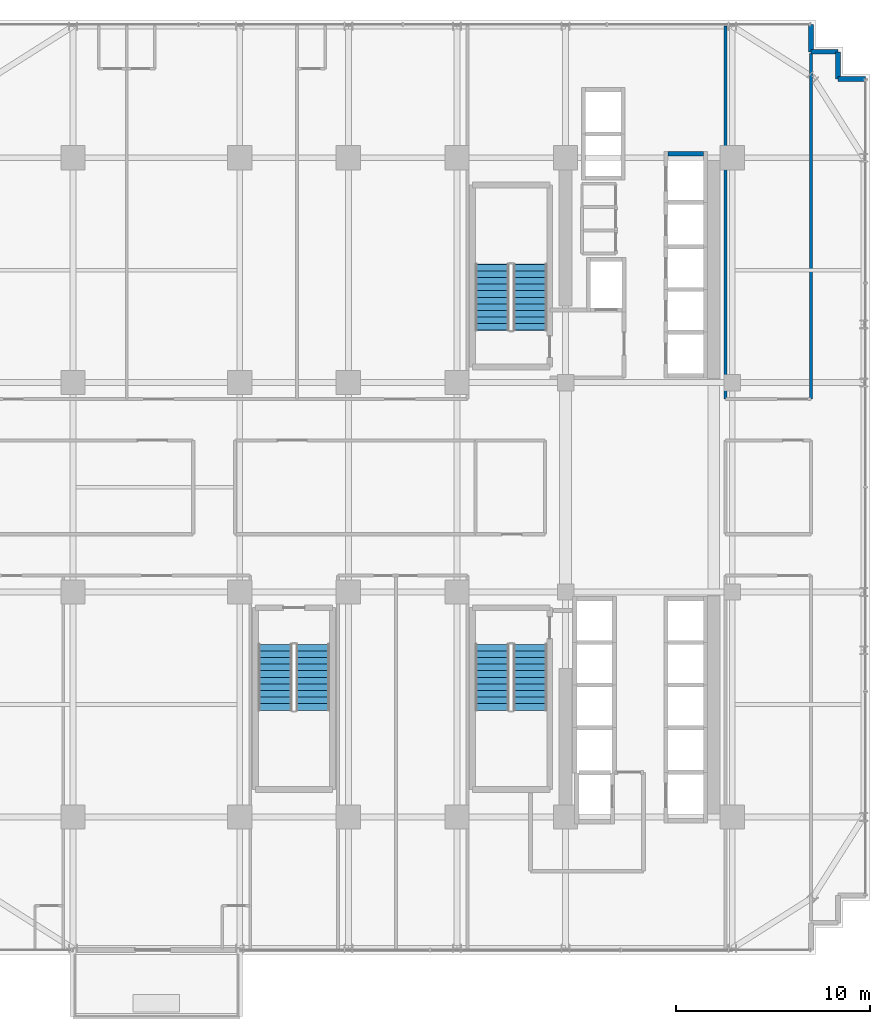
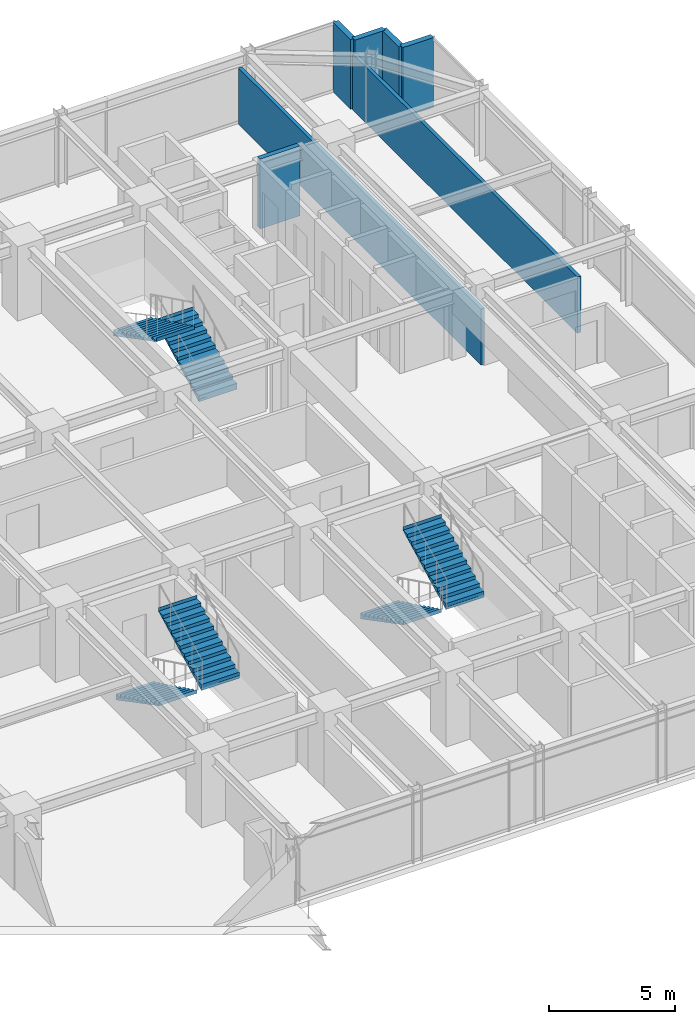
# One storey, part 29 of 32: 7 walls, 6 stair flights, 3 elements without a shape of their own.
"""IFC4 building model written with IfcOpenShell, lengths in metres."""

from ifc_helpers import new_model, si_unit, direction, frame, frame_2d, origin, place, context, subcontext, project, spatial, polyline, rectangle, outline, extrude, source, transform, mapped, material, layer, layer_set, type_object, element, aggregate, save


model = new_model("IFC4")

# Units and contexts
model_context = context("Model", 3, precision=1e-05, world=origin(), true_north=direction((0.0, 1.0)))
body_context = subcontext(model_context, "Body", "Model", "MODEL_VIEW")
ifc_project = project(units=[si_unit("LENGTHUNIT", "METRE"), si_unit("AREAUNIT", "SQUARE_METRE"), si_unit("VOLUMEUNIT", "CUBIC_METRE"), si_unit("PLANEANGLEUNIT", "RADIAN"), si_unit("MASSUNIT", "GRAM", prefix="KILO")], contexts=[model_context])

# Site, building, storey
site_placement = place(None, origin())
site = spatial("IfcSite", under=ifc_project, at=site_placement, CompositionType="ELEMENT")
building_placement = place(site_placement, origin())
building = spatial("IfcBuilding", under=site, at=building_placement, Name="Nahalor Promenade Grand Hotel", CompositionType="ELEMENT")
storey_placement = place(building_placement, frame((0.0, 0.0, 110.199951171875)))
storey = spatial("IfcBuildingStorey", under=building, at=storey_placement, Name="L27", CompositionType="ELEMENT", Elevation=110.199951171875)

# Walls
ifc_material_1 = material(Name="Concrete B-50 (C40/50)", Category="concrete")
ifc_layer_1 = layer(ifc_material_1, 0.219970703125)
ifc_layer_set_1 = layer_set([ifc_layer_1], Name="Concrete B-50 (C40/50)")
wall_type_1 = type_object("IfcWallType", Name="Wall-LiftShaft-220", PredefinedType="SHEAR", material=ifc_layer_set_1)
shared_shape_1 = source(origin(), body_context, "Body", "SweptSolid", [
    extrude(rectangle(XDim=1.820068359375, YDim=0.219970703125, at=frame_2d((0.91015625, 0.0))), origin(), (0.0, 0.0, 1.0), 3.380126953125),
])
wall_1_placement = place(storey_placement, frame((13.68994140625, 17.199951171875, 0.0), z_axis=(0.0, 0.0, 1.0), x_axis=(1.0, 0.0, 0.0)))
element("IfcWall", 1, at=wall_1_placement, inside=storey, type_object=wall_type_1, Name="L27 Lift SV1 Hoistway Wall N", PredefinedType="SHEAR", context=body_context, shape_type="MappedRepresentation", body=[
    mapped(shared_shape_1, transform((0.0, 0.0, 0.0), scale=1.0)),
])
ifc_material_2 = material(Name="Concrete B-40 (C32/40)", Category="concrete")
ifc_layer_2 = layer(ifc_material_2, 0.25)
ifc_layer_set_2 = layer_set([ifc_layer_2], Name="Concrete B-40 (C32/40)")
wall_type_2 = type_object("IfcWallType", Name="Wall-BronzePier-250", PredefinedType="STANDARD", material=ifc_layer_set_2)
shared_shape_2 = source(origin(), body_context, "Body", "SweptSolid", [
    extrude(rectangle(XDim=1.400146484375, YDim=0.25, at=frame_2d((0.7001953125, 0.0))), origin(), (0.0, 0.0, 1.0), 3.380126953125),
])
for number, where, z_axis, x_axis, name in (
    (2, (22.4599609375, 21.06005859375, 0.0), (0.0, 0.0, 1.0), (1.0, 0.0, 0.0), "W-L27-SR-05"),
    (3, (21.06005859375, 22.4599609375, 0.0), (0.0, 0.0, 1.0), (0.0, 1.0, 0.0), "W-L27-SR-08"),
):
    element("IfcWall", number, at=place(storey_placement, frame(where, z_axis=z_axis, x_axis=x_axis)), inside=storey, type_object=wall_type_2, Name=name, PredefinedType="STANDARD", context=body_context, shape_type="MappedRepresentation", body=[
        mapped(shared_shape_2, transform((0.0, 0.0, 0.0), scale=1.0)),
    ])
shared_shape_3 = source(origin(), body_context, "Body", "SweptSolid", [
    extrude(rectangle(XDim=1.39990234375, YDim=0.25, at=frame_2d((0.699951171875, 0.0))), origin(), (0.0, 0.0, 1.0), 3.380126953125),
])
for number, where, z_axis, x_axis, name in (
    (4, (22.4599609375, 21.06005859375, 0.0), (0.0, 0.0, 1.0), (0.0, 1.0, 0.0), "W-L27-SR-06"),
    (5, (21.06005859375, 22.4599609375, 0.0), (0.0, 0.0, 1.0), (1.0, 0.0, 0.0), "W-L27-SR-07"),
):
    element("IfcWall", number, at=place(storey_placement, frame(where, z_axis=z_axis, x_axis=x_axis)), inside=storey, type_object=wall_type_2, Name=name, PredefinedType="STANDARD", context=body_context, shape_type="MappedRepresentation", body=[
        mapped(shared_shape_3, transform((0.0, 0.0, 0.0), scale=1.0)),
    ])
ifc_material_3 = material(Name="Acoustic Mineral Gypsum", Category="gypsum")
ifc_layer_3 = layer(ifc_material_3, 0.159912109375)
ifc_layer_set_3 = layer_set([ifc_layer_3], Name="Acoustic Mineral Gypsum")
wall_type_3 = type_object("IfcWallType", Name="Wall-PartCorridor-160", PredefinedType="PARTITIONING", material=ifc_layer_set_3)
shared_shape_4 = source(origin(), body_context, "Body", "SweptSolid", [
    extrude(rectangle(XDim=19.25, YDim=0.159912109375, at=frame_2d((9.625, 0.0))), origin(), (0.0, 0.0, 1.0), 2.719970703125),
])
wall_2_placement = place(storey_placement, frame((16.64990234375, 4.550048828125, 0.0), z_axis=(0.0, 0.0, 1.0), x_axis=(0.0, 1.0, 0.0)))
element("IfcWall", 6, at=wall_2_placement, inside=storey, type_object=wall_type_3, Name="W-L27-ENE-W", PredefinedType="PARTITIONING", context=body_context, shape_type="MappedRepresentation", body=[
    mapped(shared_shape_4, transform((0.0, 0.0, 0.0), scale=1.0)),
])
shared_shape_5 = source(origin(), body_context, "Body", "SweptSolid", [
    extrude(rectangle(XDim=17.829833984375, YDim=0.159912109375, at=frame_2d((8.9150390625, 0.0))), origin(), (0.0, 0.0, 1.0), 2.719970703125),
])
wall_3_placement = place(storey_placement, frame((21.06005859375, 4.550048828125, 0.0), z_axis=(0.0, 0.0, 1.0), x_axis=(0.0, 1.0, 0.0)))
element("IfcWall", 7, at=wall_3_placement, inside=storey, type_object=wall_type_3, Name="W-L27-ENE-E", PredefinedType="PARTITIONING", context=body_context, shape_type="MappedRepresentation", body=[
    mapped(shared_shape_5, transform((0.0, 0.0, 0.0), scale=1.0)),
])

# Stair, stair flights
stair_type_1 = type_object("IfcStairType", Name="Stair-ST1", PredefinedType="HALF_TURN_STAIR", material=ifc_material_1)
stair_1_placement = place(storey_placement, origin())
stair_1 = element("IfcStair", 8, at=stair_1_placement, inside=storey, type_object=stair_type_1, Name="L27 ST1", PredefinedType="HALF_TURN_STAIR")
ifc_layer_4 = layer(ifc_material_1, 0.179931640625)
ifc_layer_set_4 = layer_set([ifc_layer_4], Name="Concrete B-50 (C40/50)")
stair_flight_type_1 = type_object("IfcStairFlightType", Name="Flight-ST1", PredefinedType="STRAIGHT", material=ifc_layer_set_4)
shared_shape_6 = source(origin(), body_context, "Body", "SweptSolid", [
    extrude(outline(polyline([(-0.00390625, -0.1201171875), (-0.00390625, 0.0), (0.0, 0.0), (0.0, 0.166015625), (0.340087890625, 0.166015625), (0.340087890625, 0.331787109375), (0.679931640625, 0.331787109375), (0.679931640625, 0.497802734375), (1.02001953125, 0.497802734375), (1.02001953125, 0.66357421875), (1.360107421875, 0.66357421875), (1.360107421875, 0.82958984375), (1.699951171875, 0.82958984375), (1.699951171875, 0.995361328125), (2.0400390625, 0.995361328125), (2.0400390625, 1.161376953125), (2.3798828125, 1.161376953125), (2.3798828125, 1.327392578125), (2.719970703125, 1.327392578125), (2.719970703125, 1.4931640625), (3.06005859375, 1.4931640625), (3.06005859375, 1.6591796875), (3.39990234375, 1.6591796875), (3.39990234375, 1.824951171875), (3.404052734375, 1.824951171875), (3.404052734375, 1.64501953125), (0.02001953125, -0.1201171875), (-0.00390625, -0.1201171875)])), frame((0.0, 0.875, 0.0), z_axis=(0.0, -1.0, 0.0), x_axis=(1.0, 0.0, 0.0)), (0.0, 0.0, 1.0), 1.75),
])
stair_flight_1_placement = place(storey_placement, frame((6.574951171875, 8.10009765625, 0.0), z_axis=(0.0, 0.0, 1.0), x_axis=(0.0, 1.0, 0.0)))
stair_flight_1 = element("IfcStairFlight", 9, at=stair_flight_1_placement, type_object=stair_flight_type_1, Name="ST1 flight 1", NumberOfRisers=11, NumberOfTreads=10, PredefinedType="STRAIGHT", RiserHeight=0.165909091, TreadLength=0.34, context=body_context, shape_type="MappedRepresentation", body=[
    mapped(shared_shape_6, transform((0.0, 0.0, 0.0), scale=1.0)),
])
stair_flight_2_placement = place(storey_placement, frame((4.625, 11.5, 1.824951171875), z_axis=(0.0, 0.0, 1.0), x_axis=(0.0, -1.0, 0.0)))
stair_flight_2 = element("IfcStairFlight", 10, at=stair_flight_2_placement, type_object=stair_flight_type_1, Name="ST1 flight 2", NumberOfRisers=11, NumberOfTreads=10, PredefinedType="STRAIGHT", RiserHeight=0.165909091, TreadLength=0.34, context=body_context, shape_type="MappedRepresentation", body=[
    mapped(shared_shape_6, transform((0.0, 0.0, 0.0), scale=1.0)),
])
aggregate(stair_1, [stair_flight_1, stair_flight_2])

stair_type_2 = type_object("IfcStairType", Name="Stair-ST2", PredefinedType="HALF_TURN_STAIR", material=ifc_material_1)
stair_2_placement = place(storey_placement, origin())
stair_2 = element("IfcStair", 11, at=stair_2_placement, inside=storey, type_object=stair_type_2, Name="L27 ST2", PredefinedType="HALF_TURN_STAIR")
ifc_layer_5 = layer(ifc_material_1, 0.18994140625)
ifc_layer_set_5 = layer_set([ifc_layer_5], Name="Concrete B-50 (C40/50)")
stair_flight_type_2 = type_object("IfcStairFlightType", Name="Flight-ST2", PredefinedType="STRAIGHT", material=ifc_layer_set_5)
shared_shape_7 = source(origin(), body_context, "Body", "SweptSolid", [
    extrude(outline(polyline([(-0.00390625, -0.1201171875), (-0.00390625, 0.0), (0.0, 0.0), (0.0, 0.166015625), (0.340087890625, 0.166015625), (0.340087890625, 0.331787109375), (0.679931640625, 0.331787109375), (0.679931640625, 0.497802734375), (1.02001953125, 0.497802734375), (1.02001953125, 0.66357421875), (1.360107421875, 0.66357421875), (1.360107421875, 0.82958984375), (1.699951171875, 0.82958984375), (1.699951171875, 0.995361328125), (2.0400390625, 0.995361328125), (2.0400390625, 1.161376953125), (2.3798828125, 1.161376953125), (2.3798828125, 1.327392578125), (2.719970703125, 1.327392578125), (2.719970703125, 1.4931640625), (3.06005859375, 1.4931640625), (3.06005859375, 1.6591796875), (3.39990234375, 1.6591796875), (3.39990234375, 1.824951171875), (3.404052734375, 1.824951171875), (3.404052734375, 1.64501953125), (0.02001953125, -0.1201171875), (-0.00390625, -0.1201171875)])), frame((0.0, 0.875, 0.0), z_axis=(0.0, -1.0, 0.0), x_axis=(1.0, 0.0, 0.0)), (0.0, 0.0, 1.0), 1.75),
])
stair_flight_3_placement = place(storey_placement, frame((4.625, -8.10009765625, 0.0), z_axis=(0.0, 0.0, 1.0), x_axis=(0.0, -1.0, 0.0)))
stair_flight_3 = element("IfcStairFlight", 12, at=stair_flight_3_placement, type_object=stair_flight_type_2, Name="ST2 flight 1", NumberOfRisers=11, NumberOfTreads=10, PredefinedType="STRAIGHT", RiserHeight=0.165909091, TreadLength=0.34, context=body_context, shape_type="MappedRepresentation", body=[
    mapped(shared_shape_7, transform((0.0, 0.0, 0.0), scale=1.0)),
])
stair_flight_4_placement = place(storey_placement, frame((6.574951171875, -11.5, 1.824951171875), z_axis=(0.0, 0.0, 1.0), x_axis=(0.0, 1.0, 0.0)))
stair_flight_4 = element("IfcStairFlight", 13, at=stair_flight_4_placement, type_object=stair_flight_type_2, Name="ST2 flight 2", NumberOfRisers=11, NumberOfTreads=10, PredefinedType="STRAIGHT", RiserHeight=0.165909091, TreadLength=0.34, context=body_context, shape_type="MappedRepresentation", body=[
    mapped(shared_shape_7, transform((0.0, 0.0, 0.0), scale=1.0)),
])
aggregate(stair_2, [stair_flight_3, stair_flight_4])

stair_type_3 = type_object("IfcStairType", Name="Stair-ST3", PredefinedType="HALF_TURN_STAIR", material=ifc_material_1)
stair_3_placement = place(storey_placement, origin())
stair_3 = element("IfcStair", 14, at=stair_3_placement, inside=storey, type_object=stair_type_3, Name="L27 ST3", PredefinedType="HALF_TURN_STAIR")
ifc_layer_6 = layer(ifc_material_1, 0.199951171875)
ifc_layer_set_6 = layer_set([ifc_layer_6], Name="Concrete B-50 (C40/50)")
stair_flight_type_3 = type_object("IfcStairFlightType", Name="Flight-ST3", PredefinedType="STRAIGHT", material=ifc_layer_set_6)
shared_shape_8 = source(origin(), body_context, "Body", "SweptSolid", [
    extrude(outline(polyline([(-0.00390625, -0.1201171875), (-0.00390625, 0.0), (0.0, 0.0), (0.0, 0.166015625), (0.340087890625, 0.166015625), (0.340087890625, 0.331787109375), (0.679931640625, 0.331787109375), (0.679931640625, 0.497802734375), (1.02001953125, 0.497802734375), (1.02001953125, 0.66357421875), (1.360107421875, 0.66357421875), (1.360107421875, 0.82958984375), (1.699951171875, 0.82958984375), (1.699951171875, 0.995361328125), (2.0400390625, 0.995361328125), (2.0400390625, 1.161376953125), (2.3798828125, 1.161376953125), (2.3798828125, 1.327392578125), (2.719970703125, 1.327392578125), (2.719970703125, 1.4931640625), (3.06005859375, 1.4931640625), (3.06005859375, 1.6591796875), (3.39990234375, 1.6591796875), (3.39990234375, 1.824951171875), (3.404052734375, 1.824951171875), (3.404052734375, 1.64501953125), (0.02001953125, -0.1201171875), (-0.00390625, -0.1201171875)])), frame((0.0, 0.875, 0.0), z_axis=(0.0, -1.0, 0.0), x_axis=(1.0, 0.0, 0.0)), (0.0, 0.0, 1.0), 1.75),
])
stair_flight_5_placement = place(storey_placement, frame((-6.574951171875, -8.10009765625, 0.0), z_axis=(0.0, 0.0, 1.0), x_axis=(0.0, -1.0, 0.0)))
stair_flight_5 = element("IfcStairFlight", 15, at=stair_flight_5_placement, type_object=stair_flight_type_3, Name="ST3 flight 1", NumberOfRisers=11, NumberOfTreads=10, PredefinedType="STRAIGHT", RiserHeight=0.165909091, TreadLength=0.34, context=body_context, shape_type="MappedRepresentation", body=[
    mapped(shared_shape_8, transform((0.0, 0.0, 0.0), scale=1.0)),
])
stair_flight_6_placement = place(storey_placement, frame((-4.625, -11.5, 1.824951171875), z_axis=(0.0, 0.0, 1.0), x_axis=(0.0, 1.0, 0.0)))
stair_flight_6 = element("IfcStairFlight", 16, at=stair_flight_6_placement, type_object=stair_flight_type_3, Name="ST3 flight 2", NumberOfRisers=11, NumberOfTreads=10, PredefinedType="STRAIGHT", RiserHeight=0.165909091, TreadLength=0.34, context=body_context, shape_type="MappedRepresentation", body=[
    mapped(shared_shape_8, transform((0.0, 0.0, 0.0), scale=1.0)),
])
aggregate(stair_3, [stair_flight_5, stair_flight_6])

save(model, "model.ifc")
